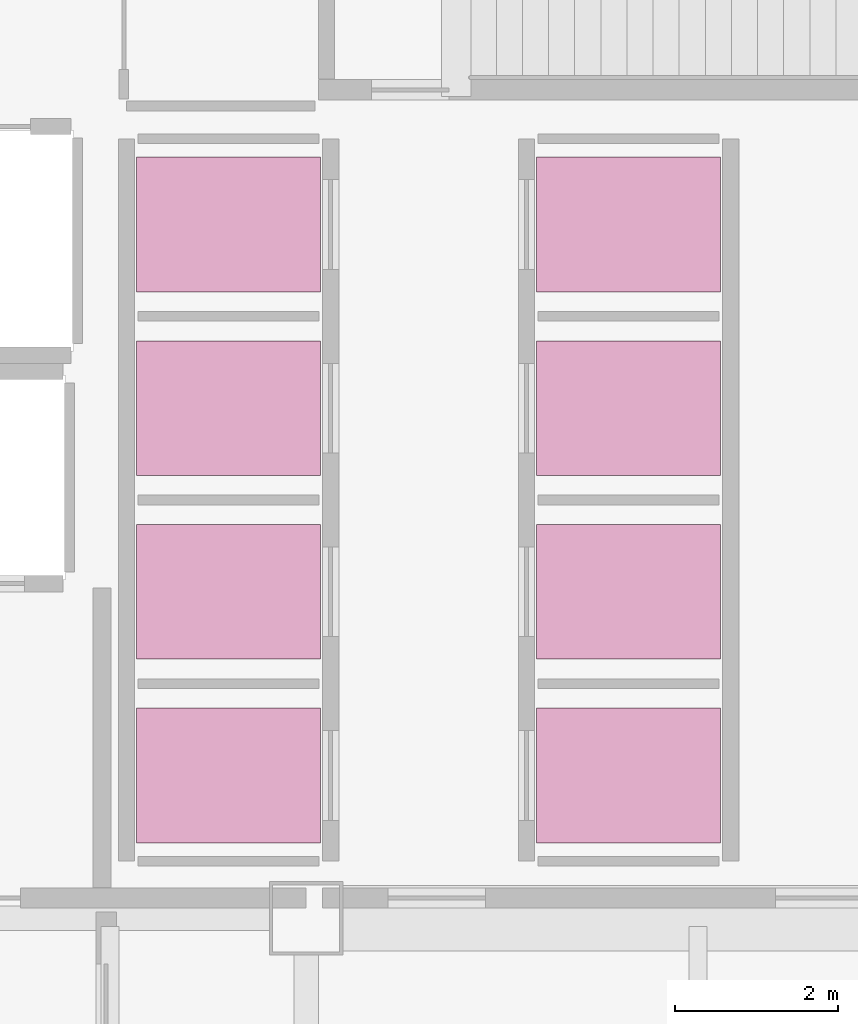
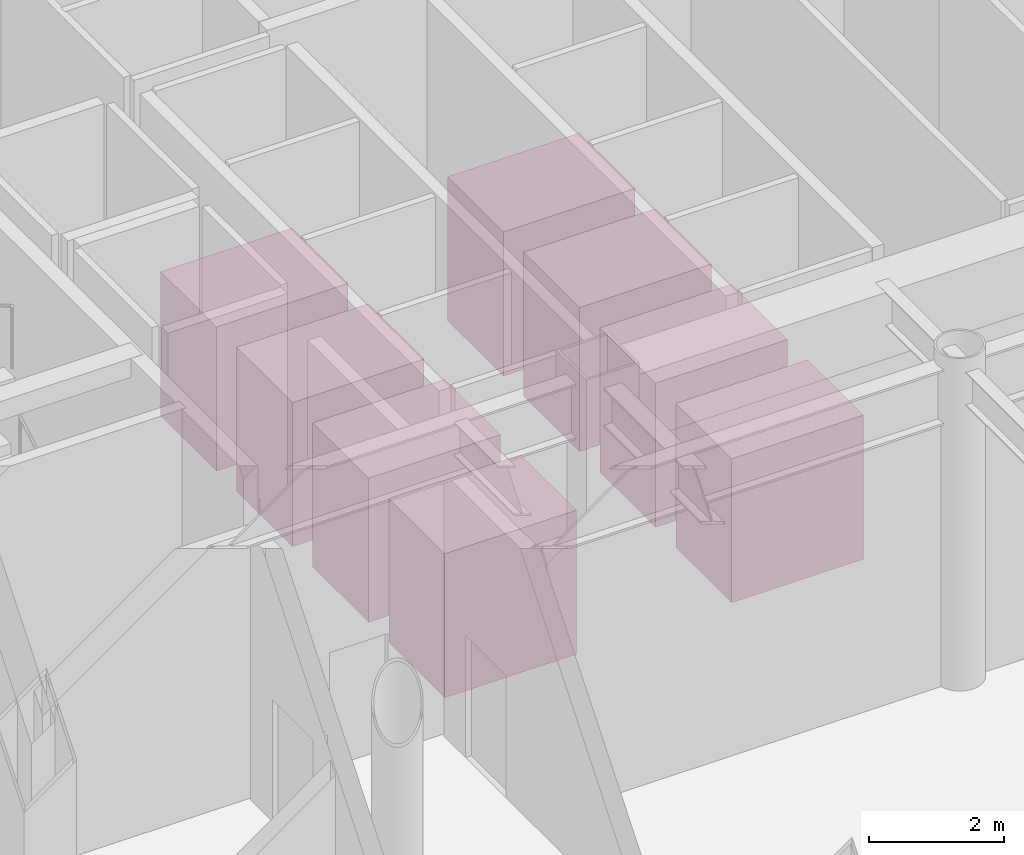
# One storey, part 23 of 23: 8 transport elements.
"""IFC4 building model written with IfcOpenShell, lengths in metres."""

from ifc_helpers import new_model, si_unit, direction, frame, origin, origin_2d, place, context, subcontext, project, spatial, rectangle, extrude, material, type_object, element, save


model = new_model("IFC4")

# Units and contexts
model_context = context("Model", 3, precision=1e-05, world=origin(), true_north=direction((0.0, 1.0)))
body_context = subcontext(model_context, "Body", "Model", "MODEL_VIEW")
ifc_project = project(units=[si_unit("LENGTHUNIT", "METRE"), si_unit("AREAUNIT", "SQUARE_METRE"), si_unit("VOLUMEUNIT", "CUBIC_METRE"), si_unit("PLANEANGLEUNIT", "RADIAN"), si_unit("MASSUNIT", "GRAM", prefix="KILO")], contexts=[model_context])

# Site, building, storey
site_placement = place(None, origin())
site = spatial("IfcSite", under=ifc_project, at=site_placement, CompositionType="ELEMENT")
building_placement = place(site_placement, origin())
building = spatial("IfcBuilding", under=site, at=building_placement, Name="Kallvorn Hotel Tower", CompositionType="ELEMENT")
storey_placement = place(building_placement, origin())
storey = spatial("IfcBuildingStorey", under=building, at=storey_placement, Name="L00", CompositionType="ELEMENT", Elevation=0.0)

# Transport elements
ifc_material = material(Name="Stainless-steel passenger elevator cab assembly", Category="steel")
transport_element_type = type_object("IfcTransportElementType", Name="LIFT_PASS_1800", PredefinedType="ELEVATOR", material=ifc_material)
for number, where, z_axis, x_axis, name in (
    (1, (-5.75, -5.449951171875, 0.0), (0.0, 0.0, 1.0), (1.0, 0.0, 0.0), "Passenger Lift PL-01"),
    (2, (-5.75, -3.199951171875, 0.0), (0.0, 0.0, 1.0), (1.0, 0.0, 0.0), "Passenger Lift PL-02"),
    (3, (-5.75, -0.949951171875, 0.0), (0.0, 0.0, 1.0), (1.0, 0.0, 0.0), "Passenger Lift PL-03"),
    (4, (-5.75, 1.300048828125, 0.0), (0.0, 0.0, 1.0), (1.0, 0.0, 0.0), "Passenger Lift PL-04"),
    (5, (-0.85009765625, -5.449951171875, 0.0), (0.0, 0.0, 1.0), (1.0, 0.0, 0.0), "Passenger Lift PL-05"),
    (6, (-0.85009765625, -3.199951171875, 0.0), (0.0, 0.0, 1.0), (1.0, 0.0, 0.0), "Passenger Lift PL-06"),
    (7, (-0.85009765625, -0.949951171875, 0.0), (0.0, 0.0, 1.0), (1.0, 0.0, 0.0), "Passenger Lift PL-07"),
    (8, (-0.85009765625, 1.300048828125, 0.0), (0.0, 0.0, 1.0), (1.0, 0.0, 0.0), "Passenger Lift PL-08"),
):
    element("IfcTransportElement", number, at=place(storey_placement, frame(where, z_axis=z_axis, x_axis=x_axis)), inside=storey, type_object=transport_element_type, Name=name, PredefinedType="ELEVATOR", context=body_context, shape_type="SweptSolid", body=[
        extrude(rectangle(XDim=2.25, YDim=1.64990234375, at=origin_2d()), origin(), (0.0, 0.0, 1.0), 2.60009765625),
    ])

save(model, "model.ifc")
